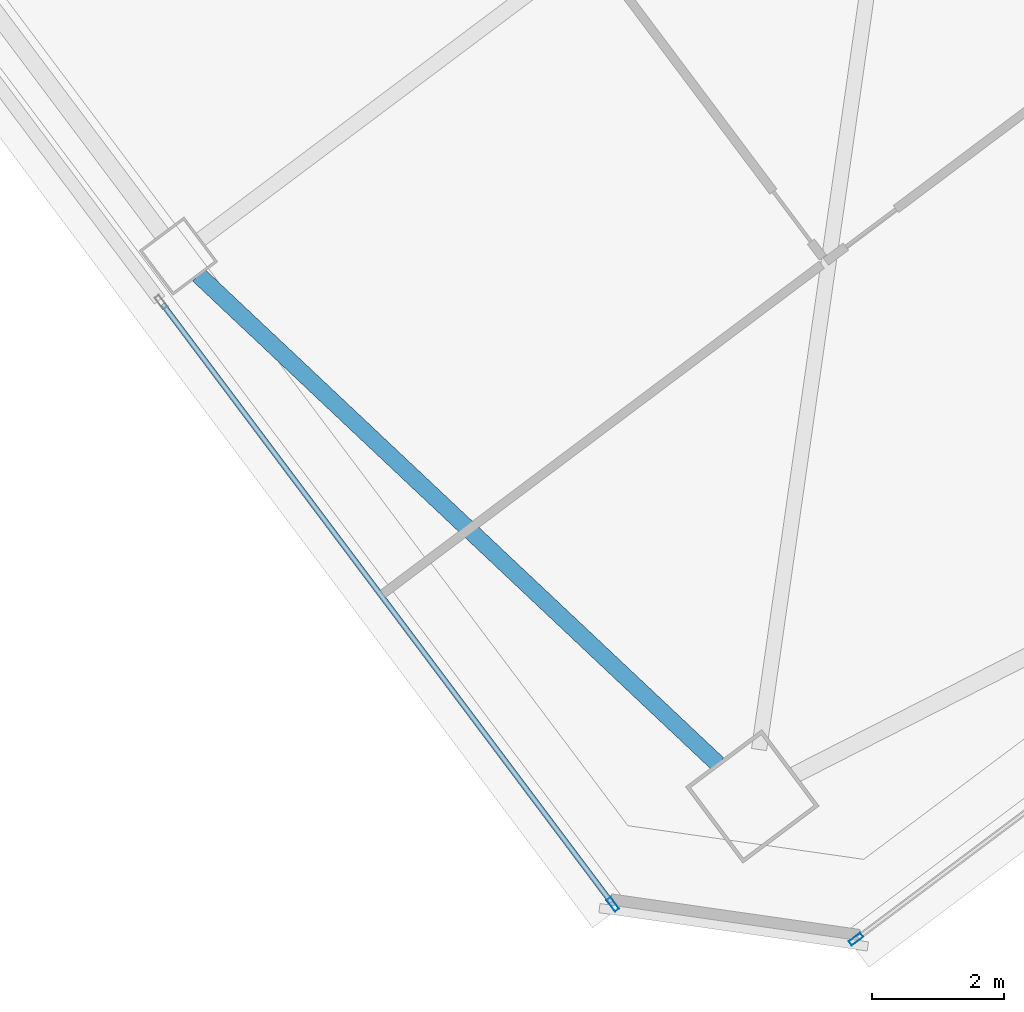
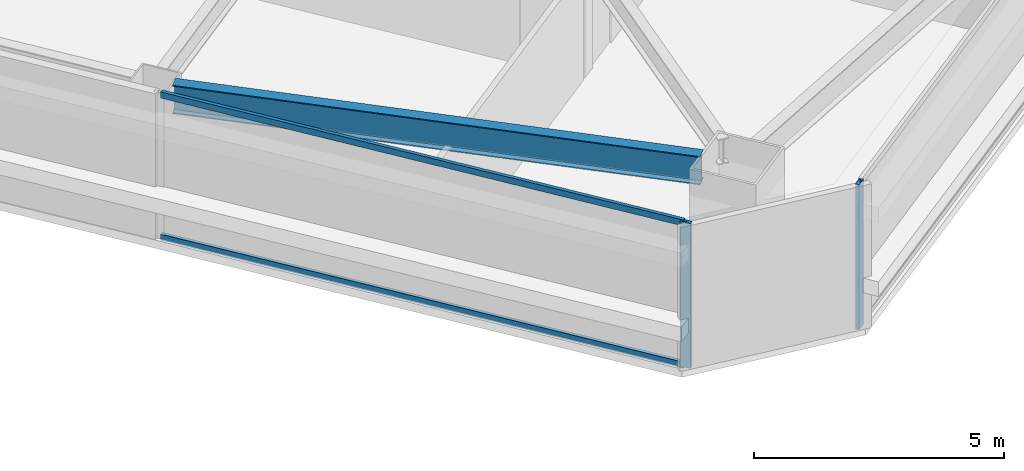
# One storey, part 17 of 44: 4 members, 1 beam, 2 elements without a shape of their own.
"""IFC4 building model written with IfcOpenShell, lengths in metres."""

from ifc_helpers import new_model, si_unit, direction, frame, origin, origin_2d, place, context, subcontext, project, spatial, hollow_rectangle, i_section, extrude, material, material_profile, profile_set, type_object, element, aggregate, save


model = new_model("IFC4")

# Units and contexts
model_context = context("Model", 3, precision=1e-05, world=origin(), true_north=direction((0.0, 1.0)))
body_context = subcontext(model_context, "Body", "Model", "MODEL_VIEW")
ifc_project = project(units=[si_unit("LENGTHUNIT", "METRE"), si_unit("AREAUNIT", "SQUARE_METRE"), si_unit("VOLUMEUNIT", "CUBIC_METRE"), si_unit("PLANEANGLEUNIT", "RADIAN"), si_unit("MASSUNIT", "GRAM", prefix="KILO")], contexts=[model_context])

# Site, building, storey
site_placement = place(None, origin())
site = spatial("IfcSite", under=ifc_project, at=site_placement, CompositionType="ELEMENT")
building_placement = place(site_placement, origin())
building = spatial("IfcBuilding", under=site, at=building_placement, Name="Tashvorn Skyway Center", CompositionType="ELEMENT")
storey_placement = place(building_placement, frame((0.0, 0.0, 102.699951171875)))
storey = spatial("IfcBuildingStorey", under=building, at=storey_placement, Name="L27", CompositionType="ELEMENT", Elevation=102.699951171875)

# Beam
ifc_material_1 = material(Name="Steel ASTM A992 Grade 50", Category="steel")
ifc_material_profile_1 = material_profile(ifc_material_1, i_section(OverallWidth=0.256103515625, OverallDepth=0.693115234375, WebThickness=0.014404296875, FlangeThickness=0.023681640625, at=origin_2d()), Name="W27X114")
ifc_profile_set_1 = profile_set([ifc_material_profile_1], Name="Steel ASTM A992 Grade 50")
beam_type = type_object("IfcBeamType", Name="BM-SPANDREL-W27X114", PredefinedType="SPANDREL", material=ifc_profile_set_1)
beam_placement = place(storey_placement, frame((102.145751953125, 15.842041015625, 3.003662109375), z_axis=(0.728086883893, -0.685484857238, 0.0), x_axis=(0.685484857238, 0.728086883893, 0.0)))
element("IfcBeam", 1, at=beam_placement, inside=storey, type_object=beam_type, Name="Tower 2 L27 Spandrel Beam 12", PredefinedType="SPANDREL", context=body_context, shape_type="SweptSolid", body=[
    extrude(i_section(OverallWidth=0.256103515625, OverallDepth=0.693115234375, WebThickness=0.014404296875, FlangeThickness=0.023681640625, at=origin_2d()), origin(), (0.0, 0.0, 1.0), 10.8369140625),
])

# Curtain wall, member
ifc_material_2 = material(Name="Thermally broken bronze-anodized aluminium 6063-T6", Category="aluminium")
curtain_wall_type = type_object("IfcCurtainWallType", Name="CW-CW-Z2", PredefinedType="NOTDEFINED", material=ifc_material_2)
curtain_wall_1_placement = place(storey_placement, origin())
curtain_wall_1 = element("IfcCurtainWall", 2, at=curtain_wall_1_placement, inside=storey, type_object=curtain_wall_type, Name="Tower 2 L27 South Curtain Wall R", PredefinedType="NOTDEFINED")
ifc_material_profile_2 = material_profile(ifc_material_2, hollow_rectangle(XDim=0.080078125, YDim=0.219970703125, WallThickness=0.0048828125, at=origin_2d()), Name="ALU-MULL-80x220")
ifc_profile_set_2 = profile_set([ifc_material_profile_2], Name="Thermally broken bronze-anodized aluminium 6063-T6")
member_type_1 = type_object("IfcMemberType", Name="CWM-CW-Z2", PredefinedType="MULLION", material=ifc_profile_set_2)
member_1_placement = place(storey_placement, frame((112.135986328125, 5.751953125, 0.0), z_axis=(0.0, 0.0, 1.0), x_axis=(0.600000000002, -0.799999999998, 0.0)))
member_1 = element("IfcMember", 3, at=member_1_placement, type_object=member_type_1, Name="CW-Z2 mullion 2", PredefinedType="MULLION", context=body_context, shape_type="SweptSolid", body=[
    extrude(hollow_rectangle(XDim=0.080078125, YDim=0.219970703125, WallThickness=0.0048828125, at=origin_2d()), origin(), (0.0, 0.0, 1.0), 3.550048828125),
])
aggregate(curtain_wall_1, [member_1])

# Curtain wall, members
curtain_wall_2_placement = place(storey_placement, origin())
curtain_wall_2 = element("IfcCurtainWall", 4, at=curtain_wall_2_placement, inside=storey, type_object=curtain_wall_type, Name="Tower 2 L27 West Unitised Curtain Wall Glazing Group 1", PredefinedType="NOTDEFINED")
member_2_placement = place(storey_placement, frame((108.43994140625, 6.280029296875, 0.0), z_axis=(0.0, 0.0, 1.0), x_axis=(-0.799999999998, -0.600000000002, 0.0)))
member_2 = element("IfcMember", 5, at=member_2_placement, type_object=member_type_1, Name="CW-Z2 mullion 1", PredefinedType="MULLION", context=body_context, shape_type="SweptSolid", body=[
    extrude(hollow_rectangle(XDim=0.080078125, YDim=0.219970703125, WallThickness=0.0048828125, at=origin_2d()), origin(), (0.0, 0.0, 1.0), 3.550048828125),
])
ifc_material_profile_3 = material_profile(ifc_material_2, hollow_rectangle(XDim=0.080078125, YDim=0.14990234375, WallThickness=0.00439453125, at=origin_2d()), Name="ALU-TRAN-80x150")
ifc_profile_set_3 = profile_set([ifc_material_profile_3], Name="Thermally broken bronze-anodized aluminium 6063-T6")
member_type_2 = type_object("IfcMemberType", Name="CWT-CW-Z2", PredefinedType="USERDEFINED", material=ifc_profile_set_3)
member_3_placement = place(storey_placement, frame((108.416015625, 6.31201171875, 0.0400390625), z_axis=(-0.6, 0.8, 0.0), x_axis=(-0.8, -0.6, 0.0)))
member_3 = element("IfcMember", 6, at=member_3_placement, type_object=member_type_2, Name="CW-Z2 transom 1.1", ObjectType="TRANSOM", PredefinedType="USERDEFINED", context=body_context, shape_type="SweptSolid", body=[
    extrude(hollow_rectangle(XDim=0.080078125, YDim=0.14990234375, WallThickness=0.00439453125, at=origin_2d()), origin(), (0.0, 0.0, 1.0), 11.35986328125),
])
member_4_placement = place(storey_placement, frame((108.416015625, 6.31201171875, 3.510009765625), z_axis=(-0.6, 0.8, 0.0), x_axis=(-0.8, -0.6, 0.0)))
member_4 = element("IfcMember", 7, at=member_4_placement, type_object=member_type_2, Name="CW-Z2 transom 1.2", ObjectType="TRANSOM", PredefinedType="USERDEFINED", context=body_context, shape_type="SweptSolid", body=[
    extrude(hollow_rectangle(XDim=0.080078125, YDim=0.14990234375, WallThickness=0.00439453125, at=origin_2d()), origin(), (0.0, 0.0, 1.0), 11.35986328125),
])
aggregate(curtain_wall_2, [member_2, member_3, member_4])

save(model, "model.ifc")
